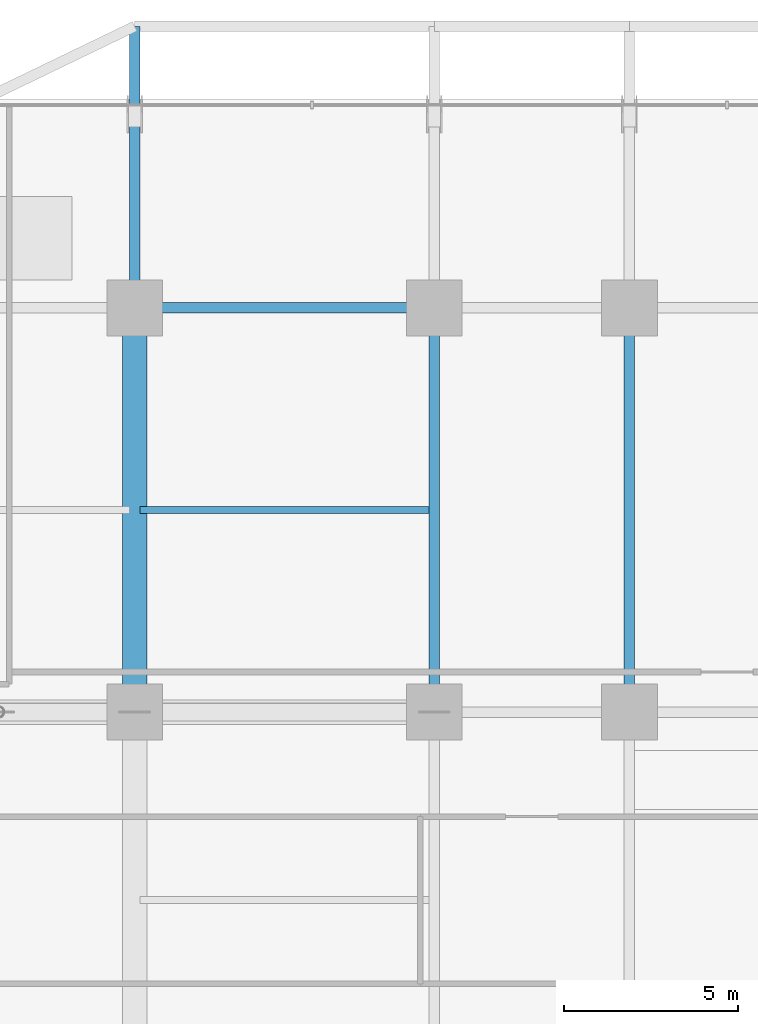
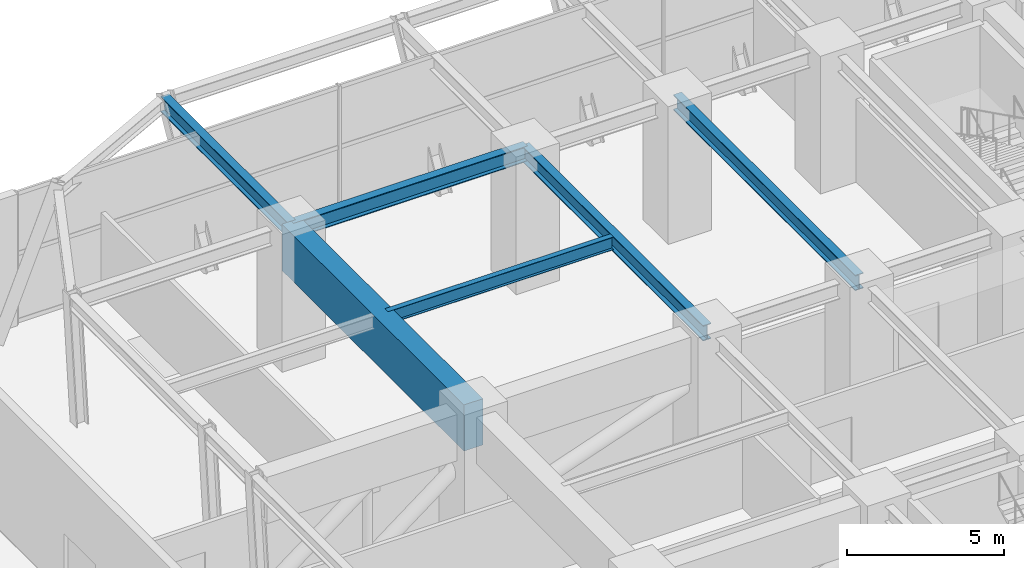
# One storey, part 13 of 29: 6 beams.
"""IFC4 building model written with IfcOpenShell, lengths in metres."""

from ifc_helpers import new_model, si_unit, direction, frame, origin, origin_2d, place, context, subcontext, project, spatial, rectangle, i_section, extrude, source, transform, mapped, material, material_profile, profile_set, type_object, element, save


model = new_model("IFC4")

# Units and contexts
model_context = context("Model", 3, precision=1e-05, world=origin(), true_north=direction((0.0, 1.0)))
body_context = subcontext(model_context, "Body", "Model", "MODEL_VIEW")
ifc_project = project(units=[si_unit("LENGTHUNIT", "METRE"), si_unit("AREAUNIT", "SQUARE_METRE"), si_unit("VOLUMEUNIT", "CUBIC_METRE"), si_unit("PLANEANGLEUNIT", "RADIAN"), si_unit("MASSUNIT", "GRAM", prefix="KILO")], contexts=[model_context])

# Site, building, storey
site_placement = place(None, origin())
site = spatial("IfcSite", under=ifc_project, at=site_placement, CompositionType="ELEMENT")
building_placement = place(site_placement, origin())
building = spatial("IfcBuilding", under=site, at=building_placement, Name="Nahalor Promenade Grand Hotel", CompositionType="ELEMENT")
storey_placement = place(building_placement, frame((0.0, 0.0, 27.0)))
storey = spatial("IfcBuildingStorey", under=building, at=storey_placement, Name="L05", CompositionType="ELEMENT", Elevation=27.0)

# Beams
ifc_material_1 = material(Name="Steel S355JR", Category="steel")
ifc_material_profile_1 = material_profile(ifc_material_1, i_section(OverallWidth=0.3, OverallDepth=0.6, WebThickness=0.0155, FlangeThickness=0.03, at=origin_2d()), Name="HEB 600")
ifc_profile_set_1 = profile_set([ifc_material_profile_1], Name="Steel S355JR")
beam_type_1 = type_object("IfcBeamType", Name="Beam-Girder-HEB600", PredefinedType="BEAM", material=ifc_profile_set_1)
shared_shape_1 = source(origin(), body_context, "Body", "SweptSolid", [
    extrude(i_section(OverallWidth=0.3, OverallDepth=0.6, WebThickness=0.0155, FlangeThickness=0.03, at=origin_2d()), origin(), (0.0, 0.0, 1.0), 8.60009765625),
])
beam_1_placement = place(storey_placement, frame((-17.0, 17.0, 4.820068359375), z_axis=(1.0, 0.0, 0.0), x_axis=(0.0, 1.0, 0.0)))
element("IfcBeam", 1, at=beam_1_placement, inside=storey, type_object=beam_type_1, Name="BM-L05-GX-3-1", PredefinedType="BEAM", context=body_context, shape_type="MappedRepresentation", body=[
    mapped(shared_shape_1, transform((0.0, 0.0, 0.0), scale=1.0)),
])
shared_shape_2 = source(origin(), body_context, "Body", "SweptSolid", [
    extrude(i_section(OverallWidth=0.3, OverallDepth=0.6, WebThickness=0.0155, FlangeThickness=0.03, at=origin_2d()), origin(), (0.0, 0.0, 1.0), 11.60009765625),
])
for number, where, z_axis, x_axis, name in (
    (2, (-8.39990234375, 5.39990234375, 4.820068359375), (0.0, 1.0, 0.0), (-1.0, 0.0, 0.0), "BM-L05-GY-1-3"),
    (3, (-2.800048828125, 5.39990234375, 4.820068359375), (0.0, 1.0, 0.0), (-1.0, 0.0, 0.0), "BM-L05-GY-2-3"),
):
    element("IfcBeam", number, at=place(storey_placement, frame(where, z_axis=z_axis, x_axis=x_axis)), inside=storey, type_object=beam_type_1, Name=name, PredefinedType="BEAM", context=body_context, shape_type="MappedRepresentation", body=[
        mapped(shared_shape_2, transform((0.0, 0.0, 0.0), scale=1.0)),
    ])
ifc_material_profile_2 = material_profile(ifc_material_1, i_section(OverallWidth=0.2, OverallDepth=0.5, WebThickness=0.0102, FlangeThickness=0.016, at=origin_2d()), Name="IPE 500")
ifc_profile_set_2 = profile_set([ifc_material_profile_2], Name="Steel S355JR")
beam_type_2 = type_object("IfcBeamType", Name="Beam-Joist-IPE500", PredefinedType="JOIST", material=ifc_profile_set_2)
shared_shape_3 = source(origin(), body_context, "Body", "SweptSolid", [
    extrude(i_section(OverallWidth=0.2, OverallDepth=0.5, WebThickness=0.0102, FlangeThickness=0.016, at=origin_2d()), origin(), (0.0, 0.0, 1.0), 8.300048828125),
])
beam_2_placement = place(storey_placement, frame((-16.85009765625, 11.199951171875, 4.8701171875), z_axis=(1.0, 0.0, 0.0), x_axis=(0.0, 1.0, 0.0)))
element("IfcBeam", 4, at=beam_2_placement, inside=storey, type_object=beam_type_2, Name="BM-L05-JSW-1-1", PredefinedType="JOIST", context=body_context, shape_type="MappedRepresentation", body=[
    mapped(shared_shape_3, transform((0.0, 0.0, 0.0), scale=1.0)),
])
ifc_material_2 = material(Name="Concrete B-60 (C50/60)", Category="concrete")
ifc_material_profile_3 = material_profile(ifc_material_2, rectangle(XDim=0.7, YDim=1.8, at=origin_2d()), Name="RC 700x1800")
ifc_profile_set_3 = profile_set([ifc_material_profile_3], Name="Concrete B-60 (C50/60)")
beam_type_3 = type_object("IfcBeamType", Name="Beam-Transfer-RC1800", PredefinedType="BEAM", material=ifc_profile_set_3)
shared_shape_4 = source(origin(), body_context, "Body", "SweptSolid", [
    extrude(rectangle(XDim=0.7, YDim=1.8, at=origin_2d()), origin(), (0.0, 0.0, 1.0), 11.60009765625),
])
beam_3_placement = place(storey_placement, frame((-17.0, 5.39990234375, 4.219970703125), z_axis=(0.0, 1.0, 0.0), x_axis=(-1.0, 0.0, 0.0)))
element("IfcBeam", 5, at=beam_3_placement, inside=storey, type_object=beam_type_3, Name="BM-L05-TRY-3--17", PredefinedType="BEAM", context=body_context, shape_type="MappedRepresentation", body=[
    mapped(shared_shape_4, transform((0.0, 0.0, 0.0), scale=1.0)),
])
shared_shape_5 = source(origin(), body_context, "Body", "SweptSolid", [
    extrude(i_section(OverallWidth=0.3, OverallDepth=0.6, WebThickness=0.0155, FlangeThickness=0.03, at=origin_2d()), origin(), (0.0, 0.0, 1.0), 8.080078125),
])
beam_4_placement = place(storey_placement, frame((-17.0, 17.0, 4.820068359375), z_axis=(0.0, 1.0, 0.0), x_axis=(-1.0, 0.0, 0.0)))
element("IfcBeam", 6, at=beam_4_placement, inside=storey, type_object=beam_type_1, Name="BM-L05-GY-0-4", PredefinedType="BEAM", context=body_context, shape_type="MappedRepresentation", body=[
    mapped(shared_shape_5, transform((0.0, 0.0, 0.0), scale=1.0)),
])

save(model, "model.ifc")
